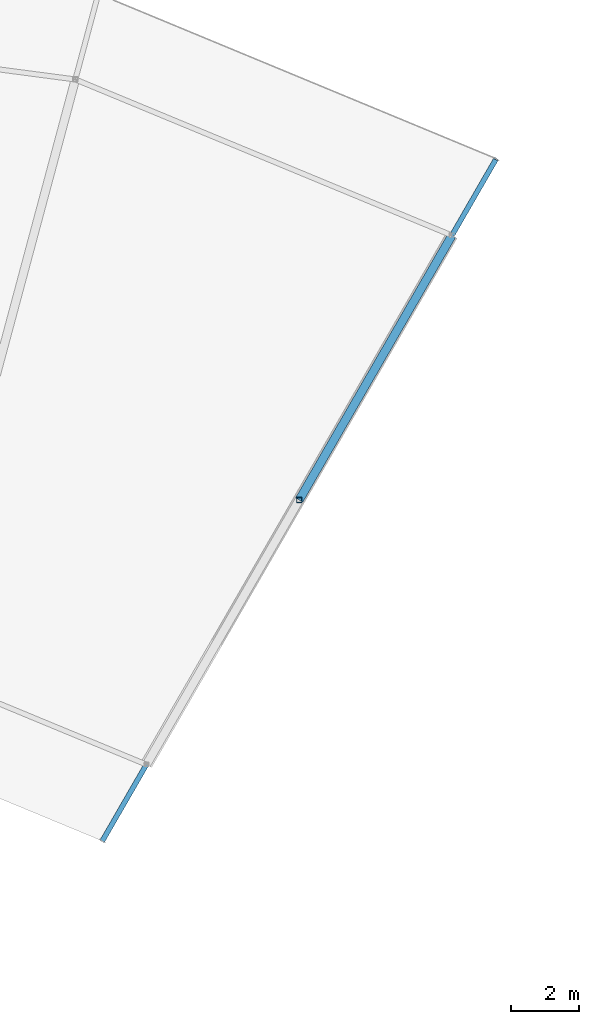
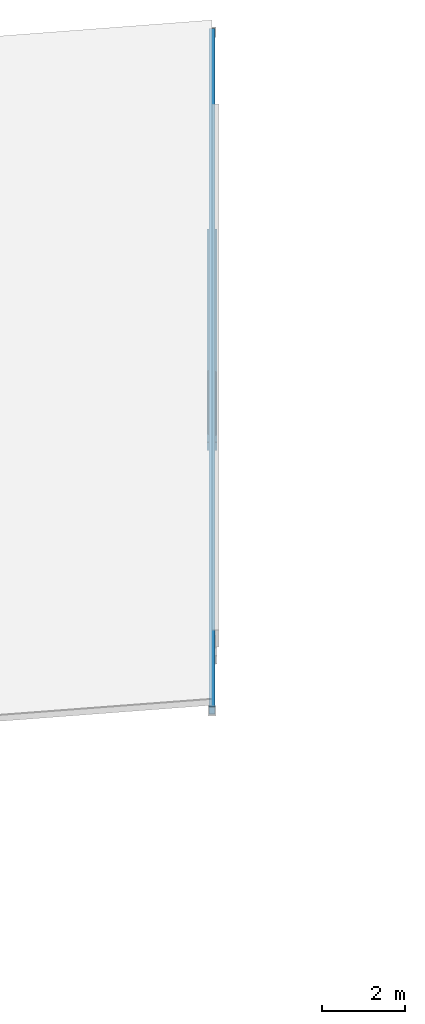
# One storey, part 24 of 70: 3 members.
"""IFC4 building model written with IfcOpenShell, lengths in metres."""

from ifc_helpers import new_model, si_unit, direction, frame, origin, origin_2d, place, context, subcontext, project, spatial, hollow_rectangle, extrude, material, material_profile, profile_set, type_object, element, save


model = new_model("IFC4")

# Units and contexts
model_context = context("Model", 3, precision=1e-05, world=origin(), true_north=direction((0.0, 1.0)))
body_context = subcontext(model_context, "Body", "Model", "MODEL_VIEW")
ifc_project = project(units=[si_unit("LENGTHUNIT", "METRE"), si_unit("AREAUNIT", "SQUARE_METRE"), si_unit("VOLUMEUNIT", "CUBIC_METRE"), si_unit("PLANEANGLEUNIT", "RADIAN"), si_unit("MASSUNIT", "GRAM", prefix="KILO")], contexts=[model_context])

# Site, building, storey
site_placement = place(None, origin())
site = spatial("IfcSite", under=ifc_project, at=site_placement, CompositionType="ELEMENT")
building_placement = place(site_placement, origin())
building = spatial("IfcBuilding", under=site, at=building_placement, Name="Vondelvale Polytechnic", CompositionType="ELEMENT")
storey_placement = place(building_placement, frame((0.0, 0.0, 22.199951171875)))
storey = spatial("IfcBuildingStorey", under=building, at=storey_placement, Name="L05", CompositionType="ELEMENT", Elevation=22.199951171875)

# Members
ifc_material = material(Name="Steel C350L0 (fy = 350 MPa)", Category="steel")
ifc_material_profile_1 = material_profile(ifc_material, hollow_rectangle(XDim=0.14990234375, YDim=0.25, WallThickness=0.006103515625, at=origin_2d()), Name="250x150x6.0RHS")
ifc_profile_set_1 = profile_set([ifc_material_profile_1], Name="Steel C350L0 (fy = 350 MPa)")
member_type_1 = type_object("IfcMemberType", Name="RAFTER RHS250", PredefinedType="RAFTER", material=ifc_profile_set_1)
member_1_placement = place(storey_placement, frame((126.300048828125, 114.0888671875, 3.765869140625), z_axis=(-0.493427802493, -0.85463514825, -0.161640858395), x_axis=(0.86602366199, -0.500003016864, 0.0)))
element("IfcMember", 1, at=member_1_placement, inside=storey, type_object=member_type_1, Name="Ring inward-sloping rafter 04", PredefinedType="RAFTER", context=body_context, shape_type="SweptSolid", body=[
    extrude(hollow_rectangle(XDim=0.14990234375, YDim=0.25, WallThickness=0.006103515625, at=origin_2d()), origin(), (0.0, 0.0, 1.0), 23.50927734375),
])
ifc_material_profile_2 = material_profile(ifc_material, hollow_rectangle(XDim=0.25, YDim=0.25, WallThickness=0.009033203125, at=origin_2d()), Name="250x250x9.0SHS")
ifc_profile_set_2 = profile_set([ifc_material_profile_2], Name="Steel C350L0 (fy = 350 MPa)")
member_type_2 = type_object("IfcMemberType", Name="ROOF TRUSS CHORD 250SHS", PredefinedType="CHORD", material=ifc_profile_set_2)
member_2_placement = place(storey_placement, frame((120.5, 104.04296875, -0.349853515625), z_axis=(0.5000018851, 0.866024315419, 0.0), x_axis=(-0.866024315419, 0.5000018851, 0.0)))
element("IfcMember", 2, at=member_2_placement, inside=storey, type_object=member_type_2, Name="Ring workshop truss chord 04B", PredefinedType="CHORD", context=body_context, shape_type="SweptSolid", body=[
    extrude(hollow_rectangle(XDim=0.25, YDim=0.25, WallThickness=0.009033203125, at=origin_2d()), origin(), (0.0, 0.0, 1.0), 9.0),
])
ifc_material_profile_3 = material_profile(ifc_material, hollow_rectangle(XDim=0.14990234375, YDim=0.14990234375, WallThickness=0.006103515625, at=origin_2d()), Name="150x150x6.0SHS")
ifc_profile_set_3 = profile_set([ifc_material_profile_3], Name="Steel C350L0 (fy = 350 MPa)")
member_type_3 = type_object("IfcMemberType", Name="ROOF TRUSS POST 150SHS", PredefinedType="POST", material=ifc_profile_set_3)
member_3_placement = place(storey_placement, frame((120.5, 104.04296875, 0.0), z_axis=(0.0, 0.0, 1.0), x_axis=(1.0, 0.0, 0.0)))
element("IfcMember", 3, at=member_3_placement, inside=storey, type_object=member_type_3, Name="Ring mid roof post 04", PredefinedType="POST", context=body_context, shape_type="SweptSolid", body=[
    extrude(hollow_rectangle(XDim=0.14990234375, YDim=0.14990234375, WallThickness=0.006103515625, at=origin_2d()), origin(), (0.0, 0.0, 1.0), 1.86572265625),
])

save(model, "model.ifc")
